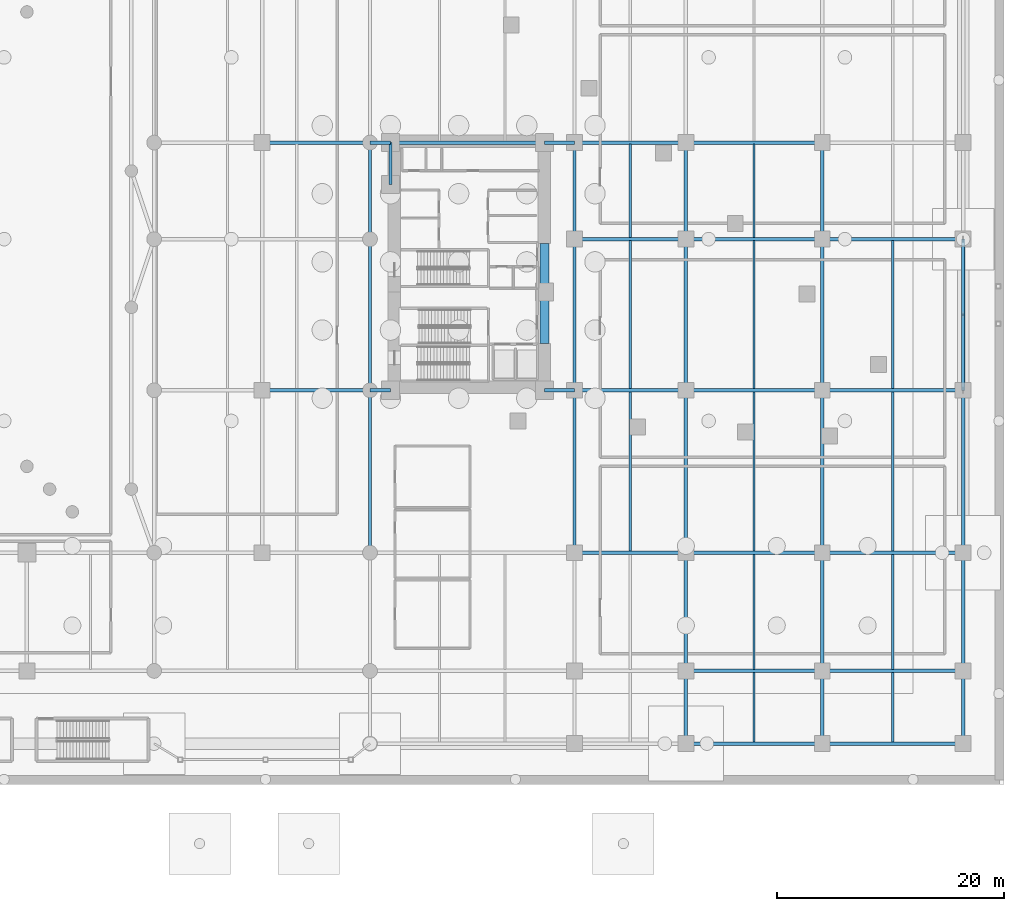
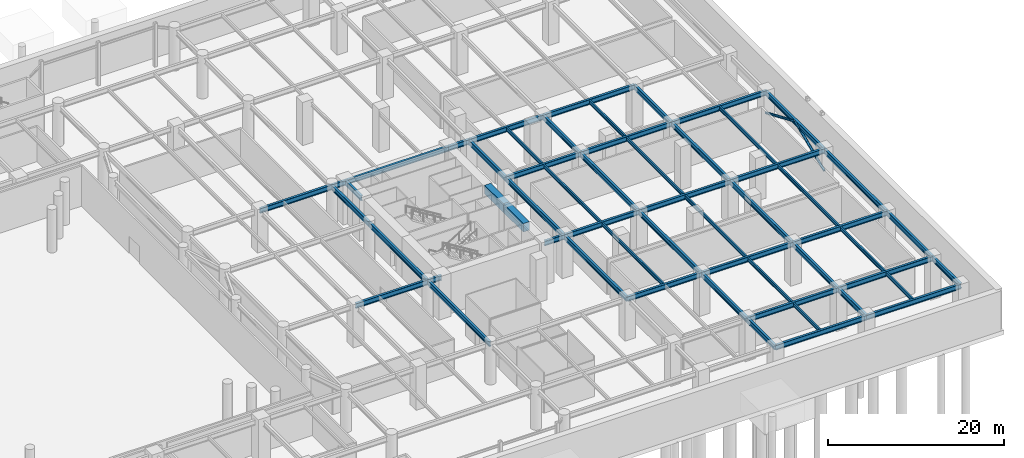
# One storey, part 13 of 37: 57 beams, 2 members.
"""IFC4 building model written with IfcOpenShell, lengths in metres."""

from ifc_helpers import new_model, si_unit, direction, frame, origin, origin_2d, place, context, subcontext, project, spatial, rectangle, hollow_circle, i_section, extrude, material, material_profile, profile_set, type_object, element, save


model = new_model("IFC4")

# Units and contexts
model_context = context("Model", 3, precision=1e-05, world=origin(), true_north=direction((0.0, 1.0)))
body_context = subcontext(model_context, "Body", "Model", "MODEL_VIEW")
ifc_project = project(units=[si_unit("LENGTHUNIT", "METRE"), si_unit("AREAUNIT", "SQUARE_METRE"), si_unit("VOLUMEUNIT", "CUBIC_METRE"), si_unit("PLANEANGLEUNIT", "RADIAN"), si_unit("MASSUNIT", "GRAM", prefix="KILO")], contexts=[model_context])

# Site, building, storey
site_placement = place(None, origin())
site = spatial("IfcSite", under=ifc_project, at=site_placement, CompositionType="ELEMENT")
building_placement = place(site_placement, origin())
building = spatial("IfcBuilding", under=site, at=building_placement, Name="Narakoshi Arena Tower", CompositionType="ELEMENT")
storey_placement = place(building_placement, frame((0.0, 0.0, -6.0)))
storey = spatial("IfcBuildingStorey", under=building, at=storey_placement, Name="B01", CompositionType="ELEMENT", Elevation=-6.0)

# Beams
ifc_material_1 = material(Name="Concrete C60/75", Category="concrete")
ifc_material_profile_1 = material_profile(ifc_material_1, rectangle(XDim=0.800048828125, YDim=1.199951171875, at=origin_2d()), Name="RCB800x1200")
ifc_profile_set_1 = profile_set([ifc_material_profile_1], Name="Concrete C60/75")
beam_type_1 = type_object("IfcBeamType", Name="BM-CPL-1200", PredefinedType="LINTEL", material=ifc_profile_set_1)
beam_1_placement = place(storey_placement, frame((85.550048828125, 38.800048828125, 5.0), z_axis=(0.0, 1.0, 0.0), x_axis=(-1.0, 0.0, 0.0)))
element("IfcBeam", 1, at=beam_1_placement, inside=storey, type_object=beam_type_1, Name="B01 Core Seismic Coupling Beam 1", PredefinedType="LINTEL", context=body_context, shape_type="SweptSolid", body=[
    extrude(rectangle(XDim=0.800048828125, YDim=1.199951171875, at=origin_2d()), origin(), (0.0, 0.0, 1.0), 4.550048828125),
])
beam_2_placement = place(storey_placement, frame((85.550048828125, 43.35009765625, 5.0), z_axis=(0.0, 1.0, 0.0), x_axis=(-1.0, 0.0, 0.0)))
element("IfcBeam", 2, at=beam_2_placement, inside=storey, type_object=beam_type_1, Name="B01 Core Seismic Coupling Beam 2", PredefinedType="LINTEL", context=body_context, shape_type="SweptSolid", body=[
    extrude(rectangle(XDim=0.800048828125, YDim=1.199951171875, at=origin_2d()), origin(), (0.0, 0.0, 1.0), 4.25),
])
ifc_material_2 = material(Name="Structural steel S355J2", Category="steel")
ifc_material_profile_2 = material_profile(ifc_material_2, i_section(OverallWidth=0.300048828125, OverallDepth=0.699951171875, WebThickness=0.01708984375, FlangeThickness=0.031982421875, FilletRadius=0.027099609375, at=origin_2d()), Name="HE700B")
ifc_profile_set_2 = profile_set([ifc_material_profile_2], Name="Structural steel S355J2")
beam_type_2 = type_object("IfcBeamType", Name="BM-PRI-700", PredefinedType="BEAM", material=ifc_profile_set_2)
beam_3_placement = place(storey_placement, frame((98.0, 3.60009765625, 5.25), z_axis=(1.0, 0.0, 0.0), x_axis=(0.0, 1.0, 0.0)))
element("IfcBeam", 3, at=beam_3_placement, inside=storey, type_object=beam_type_2, Name="B01 Podium Primary X-Girder 003", PredefinedType="BEAM", context=body_context, shape_type="SweptSolid", body=[
    extrude(i_section(OverallWidth=0.300048828125, OverallDepth=0.699951171875, WebThickness=0.01708984375, FlangeThickness=0.031982421875, FilletRadius=0.027099609375, at=origin_2d()), origin(), (0.0, 0.0, 1.0), 12.0),
])
beam_4_placement = place(storey_placement, frame((110.0, 3.60009765625, 5.25), z_axis=(1.0, 0.0, 0.0), x_axis=(0.0, 1.0, 0.0)))
element("IfcBeam", 4, at=beam_4_placement, inside=storey, type_object=beam_type_2, Name="B01 Podium Primary X-Girder 004", PredefinedType="BEAM", context=body_context, shape_type="SweptSolid", body=[
    extrude(i_section(OverallWidth=0.300048828125, OverallDepth=0.699951171875, WebThickness=0.01708984375, FlangeThickness=0.031982421875, FilletRadius=0.027099609375, at=origin_2d()), origin(), (0.0, 0.0, 1.0), 12.39990234375),
])
beam_5_placement = place(storey_placement, frame((98.0, 10.0, 5.25), z_axis=(1.0, 0.0, 0.0), x_axis=(0.0, 1.0, 0.0)))
element("IfcBeam", 5, at=beam_5_placement, inside=storey, type_object=beam_type_2, Name="B01 Podium Primary X-Girder 012", PredefinedType="BEAM", context=body_context, shape_type="SweptSolid", body=[
    extrude(i_section(OverallWidth=0.300048828125, OverallDepth=0.699951171875, WebThickness=0.01708984375, FlangeThickness=0.031982421875, FilletRadius=0.027099609375, at=origin_2d()), origin(), (0.0, 0.0, 1.0), 12.0),
])
beam_6_placement = place(storey_placement, frame((110.0, 10.0, 5.25), z_axis=(1.0, 0.0, 0.0), x_axis=(0.0, 1.0, 0.0)))
element("IfcBeam", 6, at=beam_6_placement, inside=storey, type_object=beam_type_2, Name="B01 Podium Primary X-Girder 013", PredefinedType="BEAM", context=body_context, shape_type="SweptSolid", body=[
    extrude(i_section(OverallWidth=0.300048828125, OverallDepth=0.699951171875, WebThickness=0.01708984375, FlangeThickness=0.031982421875, FilletRadius=0.027099609375, at=origin_2d()), origin(), (0.0, 0.0, 1.0), 12.39990234375),
])
beam_7_placement = place(storey_placement, frame((88.199951171875, 20.39990234375, 5.25), z_axis=(1.0, 0.0, 0.0), x_axis=(0.0, 1.0, 0.0)))
element("IfcBeam", 7, at=beam_7_placement, inside=storey, type_object=beam_type_2, Name="B01 Podium Primary X-Girder 021", PredefinedType="BEAM", context=body_context, shape_type="SweptSolid", body=[
    extrude(i_section(OverallWidth=0.300048828125, OverallDepth=0.699951171875, WebThickness=0.01708984375, FlangeThickness=0.031982421875, FilletRadius=0.027099609375, at=origin_2d()), origin(), (0.0, 0.0, 1.0), 9.800048828125),
])
beam_8_placement = place(storey_placement, frame((98.0, 20.39990234375, 5.25), z_axis=(1.0, 0.0, 0.0), x_axis=(0.0, 1.0, 0.0)))
element("IfcBeam", 8, at=beam_8_placement, inside=storey, type_object=beam_type_2, Name="B01 Podium Primary X-Girder 022", PredefinedType="BEAM", context=body_context, shape_type="SweptSolid", body=[
    extrude(i_section(OverallWidth=0.300048828125, OverallDepth=0.699951171875, WebThickness=0.01708984375, FlangeThickness=0.031982421875, FilletRadius=0.027099609375, at=origin_2d()), origin(), (0.0, 0.0, 1.0), 12.0),
])
beam_9_placement = place(storey_placement, frame((110.0, 20.39990234375, 5.25), z_axis=(1.0, 0.0, 0.0), x_axis=(0.0, 1.0, 0.0)))
element("IfcBeam", 9, at=beam_9_placement, inside=storey, type_object=beam_type_2, Name="B01 Podium Primary X-Girder 023", PredefinedType="BEAM", context=body_context, shape_type="SweptSolid", body=[
    extrude(i_section(OverallWidth=0.300048828125, OverallDepth=0.699951171875, WebThickness=0.01708984375, FlangeThickness=0.031982421875, FilletRadius=0.027099609375, at=origin_2d()), origin(), (0.0, 0.0, 1.0), 12.39990234375),
])
beam_10_placement = place(storey_placement, frame((60.699951171875, 34.699951171875, 5.25), z_axis=(1.0, 0.0, 0.0), x_axis=(0.0, 1.0, 0.0)))
element("IfcBeam", 10, at=beam_10_placement, inside=storey, type_object=beam_type_2, Name="B01 Podium Primary X-Girder 025", PredefinedType="BEAM", context=body_context, shape_type="SweptSolid", body=[
    extrude(i_section(OverallWidth=0.300048828125, OverallDepth=0.699951171875, WebThickness=0.01708984375, FlangeThickness=0.031982421875, FilletRadius=0.027099609375, at=origin_2d()), origin(), (0.0, 0.0, 1.0), 9.5),
])
beam_11_placement = place(storey_placement, frame((70.199951171875, 34.699951171875, 5.25), z_axis=(1.0, 0.0, 0.0), x_axis=(0.0, 1.0, 0.0)))
element("IfcBeam", 11, at=beam_11_placement, inside=storey, type_object=beam_type_2, Name="B01 Podium Primary X-Girder 026", PredefinedType="BEAM", context=body_context, shape_type="SweptSolid", body=[
    extrude(i_section(OverallWidth=0.300048828125, OverallDepth=0.699951171875, WebThickness=0.01708984375, FlangeThickness=0.031982421875, FilletRadius=0.027099609375, at=origin_2d()), origin(), (0.0, 0.0, 1.0), 1.800048828125),
])
beam_12_placement = place(storey_placement, frame((85.550048828125, 34.699951171875, 5.25), z_axis=(1.0, 0.0, 0.0), x_axis=(0.0, 1.0, 0.0)))
element("IfcBeam", 12, at=beam_12_placement, inside=storey, type_object=beam_type_2, Name="B01 Podium Primary X-Girder 027", PredefinedType="BEAM", context=body_context, shape_type="SweptSolid", body=[
    extrude(i_section(OverallWidth=0.300048828125, OverallDepth=0.699951171875, WebThickness=0.01708984375, FlangeThickness=0.031982421875, FilletRadius=0.027099609375, at=origin_2d()), origin(), (0.0, 0.0, 1.0), 2.64990234375),
])
beam_13_placement = place(storey_placement, frame((88.199951171875, 34.699951171875, 5.25), z_axis=(1.0, 0.0, 0.0), x_axis=(0.0, 1.0, 0.0)))
element("IfcBeam", 13, at=beam_13_placement, inside=storey, type_object=beam_type_2, Name="B01 Podium Primary X-Girder 028", PredefinedType="BEAM", context=body_context, shape_type="SweptSolid", body=[
    extrude(i_section(OverallWidth=0.300048828125, OverallDepth=0.699951171875, WebThickness=0.01708984375, FlangeThickness=0.031982421875, FilletRadius=0.027099609375, at=origin_2d()), origin(), (0.0, 0.0, 1.0), 9.800048828125),
])
beam_14_placement = place(storey_placement, frame((98.0, 34.699951171875, 5.25), z_axis=(1.0, 0.0, 0.0), x_axis=(0.0, 1.0, 0.0)))
element("IfcBeam", 14, at=beam_14_placement, inside=storey, type_object=beam_type_2, Name="B01 Podium Primary X-Girder 029", PredefinedType="BEAM", context=body_context, shape_type="SweptSolid", body=[
    extrude(i_section(OverallWidth=0.300048828125, OverallDepth=0.699951171875, WebThickness=0.01708984375, FlangeThickness=0.031982421875, FilletRadius=0.027099609375, at=origin_2d()), origin(), (0.0, 0.0, 1.0), 12.0),
])
beam_15_placement = place(storey_placement, frame((110.0, 34.699951171875, 5.25), z_axis=(1.0, 0.0, 0.0), x_axis=(0.0, 1.0, 0.0)))
element("IfcBeam", 15, at=beam_15_placement, inside=storey, type_object=beam_type_2, Name="B01 Podium Primary X-Girder 030", PredefinedType="BEAM", context=body_context, shape_type="SweptSolid", body=[
    extrude(i_section(OverallWidth=0.300048828125, OverallDepth=0.699951171875, WebThickness=0.01708984375, FlangeThickness=0.031982421875, FilletRadius=0.027099609375, at=origin_2d()), origin(), (0.0, 0.0, 1.0), 12.39990234375),
])
beam_16_placement = place(storey_placement, frame((88.199951171875, 48.0, 5.25), z_axis=(1.0, 0.0, 0.0), x_axis=(0.0, 1.0, 0.0)))
element("IfcBeam", 16, at=beam_16_placement, inside=storey, type_object=beam_type_2, Name="B01 Podium Primary X-Girder 032", PredefinedType="BEAM", context=body_context, shape_type="SweptSolid", body=[
    extrude(i_section(OverallWidth=0.300048828125, OverallDepth=0.699951171875, WebThickness=0.01708984375, FlangeThickness=0.031982421875, FilletRadius=0.027099609375, at=origin_2d()), origin(), (0.0, 0.0, 1.0), 9.800048828125),
])
beam_17_placement = place(storey_placement, frame((98.0, 48.0, 5.25), z_axis=(1.0, 0.0, 0.0), x_axis=(0.0, 1.0, 0.0)))
element("IfcBeam", 17, at=beam_17_placement, inside=storey, type_object=beam_type_2, Name="B01 Podium Primary X-Girder 033", PredefinedType="BEAM", context=body_context, shape_type="SweptSolid", body=[
    extrude(i_section(OverallWidth=0.300048828125, OverallDepth=0.699951171875, WebThickness=0.01708984375, FlangeThickness=0.031982421875, FilletRadius=0.027099609375, at=origin_2d()), origin(), (0.0, 0.0, 1.0), 12.0),
])
beam_18_placement = place(storey_placement, frame((110.0, 48.0, 5.25), z_axis=(1.0, 0.0, 0.0), x_axis=(0.0, 1.0, 0.0)))
element("IfcBeam", 18, at=beam_18_placement, inside=storey, type_object=beam_type_2, Name="B01 Podium Primary X-Girder 034", PredefinedType="BEAM", context=body_context, shape_type="SweptSolid", body=[
    extrude(i_section(OverallWidth=0.300048828125, OverallDepth=0.699951171875, WebThickness=0.01708984375, FlangeThickness=0.031982421875, FilletRadius=0.027099609375, at=origin_2d()), origin(), (0.0, 0.0, 1.0), 12.39990234375),
])
beam_19_placement = place(storey_placement, frame((60.699951171875, 56.5, 5.25), z_axis=(1.0, 0.0, 0.0), x_axis=(0.0, 1.0, 0.0)))
element("IfcBeam", 19, at=beam_19_placement, inside=storey, type_object=beam_type_2, Name="B01 Podium Primary X-Girder 036", PredefinedType="BEAM", context=body_context, shape_type="SweptSolid", body=[
    extrude(i_section(OverallWidth=0.300048828125, OverallDepth=0.699951171875, WebThickness=0.01708984375, FlangeThickness=0.031982421875, FilletRadius=0.027099609375, at=origin_2d()), origin(), (0.0, 0.0, 1.0), 9.5),
])
beam_20_placement = place(storey_placement, frame((70.199951171875, 56.5, 5.25), z_axis=(1.0, 0.0, 0.0), x_axis=(0.0, 1.0, 0.0)))
element("IfcBeam", 20, at=beam_20_placement, inside=storey, type_object=beam_type_2, Name="B01 Podium Primary X-Girder 037", PredefinedType="BEAM", context=body_context, shape_type="SweptSolid", body=[
    extrude(i_section(OverallWidth=0.300048828125, OverallDepth=0.699951171875, WebThickness=0.01708984375, FlangeThickness=0.031982421875, FilletRadius=0.027099609375, at=origin_2d()), origin(), (0.0, 0.0, 1.0), 1.800048828125),
])
beam_21_placement = place(storey_placement, frame((72.0, 56.5, 5.25), z_axis=(1.0, 0.0, 0.0), x_axis=(0.0, 1.0, 0.0)))
element("IfcBeam", 21, at=beam_21_placement, inside=storey, type_object=beam_type_2, Name="B01 Podium Primary X-Girder 038", PredefinedType="BEAM", context=body_context, shape_type="SweptSolid", body=[
    extrude(i_section(OverallWidth=0.300048828125, OverallDepth=0.699951171875, WebThickness=0.01708984375, FlangeThickness=0.031982421875, FilletRadius=0.027099609375, at=origin_2d()), origin(), (0.0, 0.0, 1.0), 13.550048828125),
])
beam_22_placement = place(storey_placement, frame((85.550048828125, 56.5, 5.25), z_axis=(1.0, 0.0, 0.0), x_axis=(0.0, 1.0, 0.0)))
element("IfcBeam", 22, at=beam_22_placement, inside=storey, type_object=beam_type_2, Name="B01 Podium Primary X-Girder 039", PredefinedType="BEAM", context=body_context, shape_type="SweptSolid", body=[
    extrude(i_section(OverallWidth=0.300048828125, OverallDepth=0.699951171875, WebThickness=0.01708984375, FlangeThickness=0.031982421875, FilletRadius=0.027099609375, at=origin_2d()), origin(), (0.0, 0.0, 1.0), 2.64990234375),
])
beam_23_placement = place(storey_placement, frame((88.199951171875, 56.5, 5.25), z_axis=(1.0, 0.0, 0.0), x_axis=(0.0, 1.0, 0.0)))
element("IfcBeam", 23, at=beam_23_placement, inside=storey, type_object=beam_type_2, Name="B01 Podium Primary X-Girder 040", PredefinedType="BEAM", context=body_context, shape_type="SweptSolid", body=[
    extrude(i_section(OverallWidth=0.300048828125, OverallDepth=0.699951171875, WebThickness=0.01708984375, FlangeThickness=0.031982421875, FilletRadius=0.027099609375, at=origin_2d()), origin(), (0.0, 0.0, 1.0), 9.800048828125),
])
beam_24_placement = place(storey_placement, frame((98.0, 56.5, 5.25), z_axis=(1.0, 0.0, 0.0), x_axis=(0.0, 1.0, 0.0)))
element("IfcBeam", 24, at=beam_24_placement, inside=storey, type_object=beam_type_2, Name="B01 Podium Primary X-Girder 041", PredefinedType="BEAM", context=body_context, shape_type="SweptSolid", body=[
    extrude(i_section(OverallWidth=0.300048828125, OverallDepth=0.699951171875, WebThickness=0.01708984375, FlangeThickness=0.031982421875, FilletRadius=0.027099609375, at=origin_2d()), origin(), (0.0, 0.0, 1.0), 12.0),
])
beam_25_placement = place(storey_placement, frame((70.199951171875, 20.39990234375, 5.25), z_axis=(0.0, 1.0, 0.0), x_axis=(-1.0, 0.0, 0.0)))
element("IfcBeam", 25, at=beam_25_placement, inside=storey, type_object=beam_type_2, Name="B01 Podium Primary Y-Girder 091", PredefinedType="BEAM", context=body_context, shape_type="SweptSolid", body=[
    extrude(i_section(OverallWidth=0.300048828125, OverallDepth=0.699951171875, WebThickness=0.01708984375, FlangeThickness=0.031982421875, FilletRadius=0.027099609375, at=origin_2d()), origin(), (0.0, 0.0, 1.0), 14.300048828125),
])
beam_26_placement = place(storey_placement, frame((70.199951171875, 34.699951171875, 5.25), z_axis=(0.0, 1.0, 0.0), x_axis=(-1.0, 0.0, 0.0)))
element("IfcBeam", 26, at=beam_26_placement, inside=storey, type_object=beam_type_2, Name="B01 Podium Primary Y-Girder 092", PredefinedType="BEAM", context=body_context, shape_type="SweptSolid", body=[
    extrude(i_section(OverallWidth=0.300048828125, OverallDepth=0.699951171875, WebThickness=0.01708984375, FlangeThickness=0.031982421875, FilletRadius=0.027099609375, at=origin_2d()), origin(), (0.0, 0.0, 1.0), 13.300048828125),
])
beam_27_placement = place(storey_placement, frame((70.199951171875, 48.0, 5.25), z_axis=(0.0, 1.0, 0.0), x_axis=(-1.0, 0.0, 0.0)))
element("IfcBeam", 27, at=beam_27_placement, inside=storey, type_object=beam_type_2, Name="B01 Podium Primary Y-Girder 093", PredefinedType="BEAM", context=body_context, shape_type="SweptSolid", body=[
    extrude(i_section(OverallWidth=0.300048828125, OverallDepth=0.699951171875, WebThickness=0.01708984375, FlangeThickness=0.031982421875, FilletRadius=0.027099609375, at=origin_2d()), origin(), (0.0, 0.0, 1.0), 8.5),
])
beam_28_placement = place(storey_placement, frame((72.0, 52.800048828125, 5.25), z_axis=(0.0, 1.0, 0.0), x_axis=(-1.0, 0.0, 0.0)))
element("IfcBeam", 28, at=beam_28_placement, inside=storey, type_object=beam_type_2, Name="B01 Podium Primary Y-Girder 097", PredefinedType="BEAM", context=body_context, shape_type="SweptSolid", body=[
    extrude(i_section(OverallWidth=0.300048828125, OverallDepth=0.699951171875, WebThickness=0.01708984375, FlangeThickness=0.031982421875, FilletRadius=0.027099609375, at=origin_2d()), origin(), (0.0, 0.0, 1.0), 3.699951171875),
])
beam_29_placement = place(storey_placement, frame((88.199951171875, 20.39990234375, 5.25), z_axis=(0.0, 1.0, 0.0), x_axis=(-1.0, 0.0, 0.0)))
element("IfcBeam", 29, at=beam_29_placement, inside=storey, type_object=beam_type_2, Name="B01 Podium Primary Y-Girder 100", PredefinedType="BEAM", context=body_context, shape_type="SweptSolid", body=[
    extrude(i_section(OverallWidth=0.300048828125, OverallDepth=0.699951171875, WebThickness=0.01708984375, FlangeThickness=0.031982421875, FilletRadius=0.027099609375, at=origin_2d()), origin(), (0.0, 0.0, 1.0), 14.300048828125),
])
beam_30_placement = place(storey_placement, frame((88.199951171875, 34.699951171875, 5.25), z_axis=(0.0, 1.0, 0.0), x_axis=(-1.0, 0.0, 0.0)))
element("IfcBeam", 30, at=beam_30_placement, inside=storey, type_object=beam_type_2, Name="B01 Podium Primary Y-Girder 101", PredefinedType="BEAM", context=body_context, shape_type="SweptSolid", body=[
    extrude(i_section(OverallWidth=0.300048828125, OverallDepth=0.699951171875, WebThickness=0.01708984375, FlangeThickness=0.031982421875, FilletRadius=0.027099609375, at=origin_2d()), origin(), (0.0, 0.0, 1.0), 13.300048828125),
])
beam_31_placement = place(storey_placement, frame((88.199951171875, 48.0, 5.25), z_axis=(0.0, 1.0, 0.0), x_axis=(-1.0, 0.0, 0.0)))
element("IfcBeam", 31, at=beam_31_placement, inside=storey, type_object=beam_type_2, Name="B01 Podium Primary Y-Girder 102", PredefinedType="BEAM", context=body_context, shape_type="SweptSolid", body=[
    extrude(i_section(OverallWidth=0.300048828125, OverallDepth=0.699951171875, WebThickness=0.01708984375, FlangeThickness=0.031982421875, FilletRadius=0.027099609375, at=origin_2d()), origin(), (0.0, 0.0, 1.0), 8.5),
])
beam_32_placement = place(storey_placement, frame((98.0, 3.60009765625, 5.25), z_axis=(0.0, 1.0, 0.0), x_axis=(-1.0, 0.0, 0.0)))
element("IfcBeam", 32, at=beam_32_placement, inside=storey, type_object=beam_type_2, Name="B01 Podium Primary Y-Girder 106", PredefinedType="BEAM", context=body_context, shape_type="SweptSolid", body=[
    extrude(i_section(OverallWidth=0.300048828125, OverallDepth=0.699951171875, WebThickness=0.01708984375, FlangeThickness=0.031982421875, FilletRadius=0.027099609375, at=origin_2d()), origin(), (0.0, 0.0, 1.0), 6.39990234375),
])
beam_33_placement = place(storey_placement, frame((98.0, 10.0, 5.25), z_axis=(0.0, 1.0, 0.0), x_axis=(-1.0, 0.0, 0.0)))
element("IfcBeam", 33, at=beam_33_placement, inside=storey, type_object=beam_type_2, Name="B01 Podium Primary Y-Girder 107", PredefinedType="BEAM", context=body_context, shape_type="SweptSolid", body=[
    extrude(i_section(OverallWidth=0.300048828125, OverallDepth=0.699951171875, WebThickness=0.01708984375, FlangeThickness=0.031982421875, FilletRadius=0.027099609375, at=origin_2d()), origin(), (0.0, 0.0, 1.0), 10.39990234375),
])
beam_34_placement = place(storey_placement, frame((98.0, 20.39990234375, 5.25), z_axis=(0.0, 1.0, 0.0), x_axis=(-1.0, 0.0, 0.0)))
element("IfcBeam", 34, at=beam_34_placement, inside=storey, type_object=beam_type_2, Name="B01 Podium Primary Y-Girder 108", PredefinedType="BEAM", context=body_context, shape_type="SweptSolid", body=[
    extrude(i_section(OverallWidth=0.300048828125, OverallDepth=0.699951171875, WebThickness=0.01708984375, FlangeThickness=0.031982421875, FilletRadius=0.027099609375, at=origin_2d()), origin(), (0.0, 0.0, 1.0), 14.300048828125),
])
beam_35_placement = place(storey_placement, frame((98.0, 34.699951171875, 5.25), z_axis=(0.0, 1.0, 0.0), x_axis=(-1.0, 0.0, 0.0)))
element("IfcBeam", 35, at=beam_35_placement, inside=storey, type_object=beam_type_2, Name="B01 Podium Primary Y-Girder 109", PredefinedType="BEAM", context=body_context, shape_type="SweptSolid", body=[
    extrude(i_section(OverallWidth=0.300048828125, OverallDepth=0.699951171875, WebThickness=0.01708984375, FlangeThickness=0.031982421875, FilletRadius=0.027099609375, at=origin_2d()), origin(), (0.0, 0.0, 1.0), 13.300048828125),
])
beam_36_placement = place(storey_placement, frame((98.0, 48.0, 5.25), z_axis=(0.0, 1.0, 0.0), x_axis=(-1.0, 0.0, 0.0)))
element("IfcBeam", 36, at=beam_36_placement, inside=storey, type_object=beam_type_2, Name="B01 Podium Primary Y-Girder 110", PredefinedType="BEAM", context=body_context, shape_type="SweptSolid", body=[
    extrude(i_section(OverallWidth=0.300048828125, OverallDepth=0.699951171875, WebThickness=0.01708984375, FlangeThickness=0.031982421875, FilletRadius=0.027099609375, at=origin_2d()), origin(), (0.0, 0.0, 1.0), 8.5),
])
beam_37_placement = place(storey_placement, frame((110.0, 3.60009765625, 5.25), z_axis=(0.0, 1.0, 0.0), x_axis=(-1.0, 0.0, 0.0)))
element("IfcBeam", 37, at=beam_37_placement, inside=storey, type_object=beam_type_2, Name="B01 Podium Primary Y-Girder 114", PredefinedType="BEAM", context=body_context, shape_type="SweptSolid", body=[
    extrude(i_section(OverallWidth=0.300048828125, OverallDepth=0.699951171875, WebThickness=0.01708984375, FlangeThickness=0.031982421875, FilletRadius=0.027099609375, at=origin_2d()), origin(), (0.0, 0.0, 1.0), 6.39990234375),
])
beam_38_placement = place(storey_placement, frame((110.0, 10.0, 5.25), z_axis=(0.0, 1.0, 0.0), x_axis=(-1.0, 0.0, 0.0)))
element("IfcBeam", 38, at=beam_38_placement, inside=storey, type_object=beam_type_2, Name="B01 Podium Primary Y-Girder 115", PredefinedType="BEAM", context=body_context, shape_type="SweptSolid", body=[
    extrude(i_section(OverallWidth=0.300048828125, OverallDepth=0.699951171875, WebThickness=0.01708984375, FlangeThickness=0.031982421875, FilletRadius=0.027099609375, at=origin_2d()), origin(), (0.0, 0.0, 1.0), 10.39990234375),
])
beam_39_placement = place(storey_placement, frame((110.0, 20.39990234375, 5.25), z_axis=(0.0, 1.0, 0.0), x_axis=(-1.0, 0.0, 0.0)))
element("IfcBeam", 39, at=beam_39_placement, inside=storey, type_object=beam_type_2, Name="B01 Podium Primary Y-Girder 116", PredefinedType="BEAM", context=body_context, shape_type="SweptSolid", body=[
    extrude(i_section(OverallWidth=0.300048828125, OverallDepth=0.699951171875, WebThickness=0.01708984375, FlangeThickness=0.031982421875, FilletRadius=0.027099609375, at=origin_2d()), origin(), (0.0, 0.0, 1.0), 14.300048828125),
])
beam_40_placement = place(storey_placement, frame((110.0, 34.699951171875, 5.25), z_axis=(0.0, 1.0, 0.0), x_axis=(-1.0, 0.0, 0.0)))
element("IfcBeam", 40, at=beam_40_placement, inside=storey, type_object=beam_type_2, Name="B01 Podium Primary Y-Girder 117", PredefinedType="BEAM", context=body_context, shape_type="SweptSolid", body=[
    extrude(i_section(OverallWidth=0.300048828125, OverallDepth=0.699951171875, WebThickness=0.01708984375, FlangeThickness=0.031982421875, FilletRadius=0.027099609375, at=origin_2d()), origin(), (0.0, 0.0, 1.0), 13.300048828125),
])
beam_41_placement = place(storey_placement, frame((110.0, 48.0, 5.25), z_axis=(0.0, 1.0, 0.0), x_axis=(-1.0, 0.0, 0.0)))
element("IfcBeam", 41, at=beam_41_placement, inside=storey, type_object=beam_type_2, Name="B01 Podium Primary Y-Girder 118", PredefinedType="BEAM", context=body_context, shape_type="SweptSolid", body=[
    extrude(i_section(OverallWidth=0.300048828125, OverallDepth=0.699951171875, WebThickness=0.01708984375, FlangeThickness=0.031982421875, FilletRadius=0.027099609375, at=origin_2d()), origin(), (0.0, 0.0, 1.0), 8.5),
])
beam_42_placement = place(storey_placement, frame((122.39990234375, 3.60009765625, 5.25), z_axis=(0.0, 1.0, 0.0), x_axis=(-1.0, 0.0, 0.0)))
element("IfcBeam", 42, at=beam_42_placement, inside=storey, type_object=beam_type_2, Name="B01 Podium Primary Y-Girder 122", PredefinedType="BEAM", context=body_context, shape_type="SweptSolid", body=[
    extrude(i_section(OverallWidth=0.300048828125, OverallDepth=0.699951171875, WebThickness=0.01708984375, FlangeThickness=0.031982421875, FilletRadius=0.027099609375, at=origin_2d()), origin(), (0.0, 0.0, 1.0), 6.39990234375),
])
beam_43_placement = place(storey_placement, frame((122.39990234375, 10.0, 5.25), z_axis=(0.0, 1.0, 0.0), x_axis=(-1.0, 0.0, 0.0)))
element("IfcBeam", 43, at=beam_43_placement, inside=storey, type_object=beam_type_2, Name="B01 Podium Primary Y-Girder 123", PredefinedType="BEAM", context=body_context, shape_type="SweptSolid", body=[
    extrude(i_section(OverallWidth=0.300048828125, OverallDepth=0.699951171875, WebThickness=0.01708984375, FlangeThickness=0.031982421875, FilletRadius=0.027099609375, at=origin_2d()), origin(), (0.0, 0.0, 1.0), 10.39990234375),
])
beam_44_placement = place(storey_placement, frame((122.39990234375, 20.39990234375, 5.25), z_axis=(0.0, 1.0, 0.0), x_axis=(-1.0, 0.0, 0.0)))
element("IfcBeam", 44, at=beam_44_placement, inside=storey, type_object=beam_type_2, Name="B01 Podium Primary Y-Girder 124", PredefinedType="BEAM", context=body_context, shape_type="SweptSolid", body=[
    extrude(i_section(OverallWidth=0.300048828125, OverallDepth=0.699951171875, WebThickness=0.01708984375, FlangeThickness=0.031982421875, FilletRadius=0.027099609375, at=origin_2d()), origin(), (0.0, 0.0, 1.0), 14.300048828125),
])
beam_45_placement = place(storey_placement, frame((122.39990234375, 34.699951171875, 5.25), z_axis=(0.0, 1.0, 0.0), x_axis=(-1.0, 0.0, 0.0)))
element("IfcBeam", 45, at=beam_45_placement, inside=storey, type_object=beam_type_2, Name="B01 Podium Primary Y-Girder 125", PredefinedType="BEAM", context=body_context, shape_type="SweptSolid", body=[
    extrude(i_section(OverallWidth=0.300048828125, OverallDepth=0.699951171875, WebThickness=0.01708984375, FlangeThickness=0.031982421875, FilletRadius=0.027099609375, at=origin_2d()), origin(), (0.0, 0.0, 1.0), 13.300048828125),
])
ifc_material_profile_3 = material_profile(ifc_material_2, i_section(OverallWidth=0.199951171875, OverallDepth=0.5, WebThickness=0.01025390625, FlangeThickness=0.01611328125, FilletRadius=0.02099609375, at=origin_2d()), Name="IPE500")
ifc_profile_set_3 = profile_set([ifc_material_profile_3], Name="Structural steel S355J2")
beam_type_3 = type_object("IfcBeamType", Name="BM-SEC-500", PredefinedType="JOIST", material=ifc_profile_set_3)
beam_46_placement = place(storey_placement, frame((93.10009765625, 20.534912109375, 5.35009765625), z_axis=(0.0, 1.0, 0.0), x_axis=(-1.0, 0.0, 0.0)))
element("IfcBeam", 46, at=beam_46_placement, inside=storey, type_object=beam_type_3, Name="B01 Podium Composite Floor Joist 033", PredefinedType="JOIST", context=body_context, shape_type="SweptSolid", body=[
    extrude(i_section(OverallWidth=0.199951171875, OverallDepth=0.5, WebThickness=0.01025390625, FlangeThickness=0.01611328125, FilletRadius=0.02099609375, at=origin_2d()), origin(), (0.0, 0.0, 1.0), 14.030029296875),
])
beam_47_placement = place(storey_placement, frame((93.10009765625, 34.8349609375, 5.35009765625), z_axis=(0.0, 1.0, 0.0), x_axis=(-1.0, 0.0, 0.0)))
element("IfcBeam", 47, at=beam_47_placement, inside=storey, type_object=beam_type_3, Name="B01 Podium Composite Floor Joist 034", PredefinedType="JOIST", context=body_context, shape_type="SweptSolid", body=[
    extrude(i_section(OverallWidth=0.199951171875, OverallDepth=0.5, WebThickness=0.01025390625, FlangeThickness=0.01611328125, FilletRadius=0.02099609375, at=origin_2d()), origin(), (0.0, 0.0, 1.0), 13.030029296875),
])
beam_48_placement = place(storey_placement, frame((93.10009765625, 48.135009765625, 5.35009765625), z_axis=(0.0, 1.0, 0.0), x_axis=(-1.0, 0.0, 0.0)))
element("IfcBeam", 48, at=beam_48_placement, inside=storey, type_object=beam_type_3, Name="B01 Podium Composite Floor Joist 035", PredefinedType="JOIST", context=body_context, shape_type="SweptSolid", body=[
    extrude(i_section(OverallWidth=0.199951171875, OverallDepth=0.5, WebThickness=0.01025390625, FlangeThickness=0.01611328125, FilletRadius=0.02099609375, at=origin_2d()), origin(), (0.0, 0.0, 1.0), 8.22998046875),
])
beam_49_placement = place(storey_placement, frame((104.0, 3.735107421875, 5.35009765625), z_axis=(0.0, 1.0, 0.0), x_axis=(-1.0, 0.0, 0.0)))
element("IfcBeam", 49, at=beam_49_placement, inside=storey, type_object=beam_type_3, Name="B01 Podium Composite Floor Joist 039", PredefinedType="JOIST", context=body_context, shape_type="SweptSolid", body=[
    extrude(i_section(OverallWidth=0.199951171875, OverallDepth=0.5, WebThickness=0.01025390625, FlangeThickness=0.01611328125, FilletRadius=0.02099609375, at=origin_2d()), origin(), (0.0, 0.0, 1.0), 6.1298828125),
])
beam_50_placement = place(storey_placement, frame((104.0, 10.135009765625, 5.35009765625), z_axis=(0.0, 1.0, 0.0), x_axis=(-1.0, 0.0, 0.0)))
element("IfcBeam", 50, at=beam_50_placement, inside=storey, type_object=beam_type_3, Name="B01 Podium Composite Floor Joist 040", PredefinedType="JOIST", context=body_context, shape_type="SweptSolid", body=[
    extrude(i_section(OverallWidth=0.199951171875, OverallDepth=0.5, WebThickness=0.01025390625, FlangeThickness=0.01611328125, FilletRadius=0.02099609375, at=origin_2d()), origin(), (0.0, 0.0, 1.0), 10.1298828125),
])
beam_51_placement = place(storey_placement, frame((104.0, 20.534912109375, 5.35009765625), z_axis=(0.0, 1.0, 0.0), x_axis=(-1.0, 0.0, 0.0)))
element("IfcBeam", 51, at=beam_51_placement, inside=storey, type_object=beam_type_3, Name="B01 Podium Composite Floor Joist 041", PredefinedType="JOIST", context=body_context, shape_type="SweptSolid", body=[
    extrude(i_section(OverallWidth=0.199951171875, OverallDepth=0.5, WebThickness=0.01025390625, FlangeThickness=0.01611328125, FilletRadius=0.02099609375, at=origin_2d()), origin(), (0.0, 0.0, 1.0), 14.030029296875),
])
beam_52_placement = place(storey_placement, frame((104.0, 34.8349609375, 5.35009765625), z_axis=(0.0, 1.0, 0.0), x_axis=(-1.0, 0.0, 0.0)))
element("IfcBeam", 52, at=beam_52_placement, inside=storey, type_object=beam_type_3, Name="B01 Podium Composite Floor Joist 042", PredefinedType="JOIST", context=body_context, shape_type="SweptSolid", body=[
    extrude(i_section(OverallWidth=0.199951171875, OverallDepth=0.5, WebThickness=0.01025390625, FlangeThickness=0.01611328125, FilletRadius=0.02099609375, at=origin_2d()), origin(), (0.0, 0.0, 1.0), 13.030029296875),
])
beam_53_placement = place(storey_placement, frame((104.0, 48.135009765625, 5.35009765625), z_axis=(0.0, 1.0, 0.0), x_axis=(-1.0, 0.0, 0.0)))
element("IfcBeam", 53, at=beam_53_placement, inside=storey, type_object=beam_type_3, Name="B01 Podium Composite Floor Joist 043", PredefinedType="JOIST", context=body_context, shape_type="SweptSolid", body=[
    extrude(i_section(OverallWidth=0.199951171875, OverallDepth=0.5, WebThickness=0.01025390625, FlangeThickness=0.01611328125, FilletRadius=0.02099609375, at=origin_2d()), origin(), (0.0, 0.0, 1.0), 8.22998046875),
])
beam_54_placement = place(storey_placement, frame((116.199951171875, 3.735107421875, 5.35009765625), z_axis=(0.0, 1.0, 0.0), x_axis=(-1.0, 0.0, 0.0)))
element("IfcBeam", 54, at=beam_54_placement, inside=storey, type_object=beam_type_3, Name="B01 Podium Composite Floor Joist 047", PredefinedType="JOIST", context=body_context, shape_type="SweptSolid", body=[
    extrude(i_section(OverallWidth=0.199951171875, OverallDepth=0.5, WebThickness=0.01025390625, FlangeThickness=0.01611328125, FilletRadius=0.02099609375, at=origin_2d()), origin(), (0.0, 0.0, 1.0), 6.1298828125),
])
beam_55_placement = place(storey_placement, frame((116.199951171875, 10.135009765625, 5.35009765625), z_axis=(0.0, 1.0, 0.0), x_axis=(-1.0, 0.0, 0.0)))
element("IfcBeam", 55, at=beam_55_placement, inside=storey, type_object=beam_type_3, Name="B01 Podium Composite Floor Joist 048", PredefinedType="JOIST", context=body_context, shape_type="SweptSolid", body=[
    extrude(i_section(OverallWidth=0.199951171875, OverallDepth=0.5, WebThickness=0.01025390625, FlangeThickness=0.01611328125, FilletRadius=0.02099609375, at=origin_2d()), origin(), (0.0, 0.0, 1.0), 10.1298828125),
])
beam_56_placement = place(storey_placement, frame((116.199951171875, 20.534912109375, 5.35009765625), z_axis=(0.0, 1.0, 0.0), x_axis=(-1.0, 0.0, 0.0)))
element("IfcBeam", 56, at=beam_56_placement, inside=storey, type_object=beam_type_3, Name="B01 Podium Composite Floor Joist 049", PredefinedType="JOIST", context=body_context, shape_type="SweptSolid", body=[
    extrude(i_section(OverallWidth=0.199951171875, OverallDepth=0.5, WebThickness=0.01025390625, FlangeThickness=0.01611328125, FilletRadius=0.02099609375, at=origin_2d()), origin(), (0.0, 0.0, 1.0), 14.030029296875),
])
beam_57_placement = place(storey_placement, frame((116.199951171875, 34.8349609375, 5.35009765625), z_axis=(0.0, 1.0, 0.0), x_axis=(-1.0, 0.0, 0.0)))
element("IfcBeam", 57, at=beam_57_placement, inside=storey, type_object=beam_type_3, Name="B01 Podium Composite Floor Joist 050", PredefinedType="JOIST", context=body_context, shape_type="SweptSolid", body=[
    extrude(i_section(OverallWidth=0.199951171875, OverallDepth=0.5, WebThickness=0.01025390625, FlangeThickness=0.01611328125, FilletRadius=0.02099609375, at=origin_2d()), origin(), (0.0, 0.0, 1.0), 13.030029296875),
])

# Members
ifc_material_profile_4 = material_profile(ifc_material_2, hollow_circle(Radius=0.161865234375, WallThickness=0.012451171875, at=origin_2d()), Name="CHS323x12")
ifc_profile_set_4 = profile_set([ifc_material_profile_4], Name="Structural steel S355J2")
member_type = type_object("IfcMemberType", Name="MEM-BR-323", PredefinedType="BRACE", material=ifc_profile_set_4)
member_1_placement = place(storey_placement, frame((122.39990234375, 34.699951171875, 2.39990234375), z_axis=(0.0, 0.919143284648, 0.393923371085), x_axis=(-1.0, 0.0, 0.0)))
element("IfcMember", 58, at=member_1_placement, inside=storey, type_object=member_type, Name="B01 Podium Lateral Brace 2A", PredefinedType="BRACE", context=body_context, shape_type="SweptSolid", body=[
    extrude(hollow_circle(Radius=0.161865234375, WallThickness=0.012451171875, at=origin_2d()), origin(), (0.0, 0.0, 1.0), 7.235107421875),
])
member_2_placement = place(storey_placement, frame((122.39990234375, 48.0, 2.39990234375), z_axis=(0.0, -0.919138048212, 0.393935589061), x_axis=(1.0, 0.0, 0.0)))
element("IfcMember", 59, at=member_2_placement, inside=storey, type_object=member_type, Name="B01 Podium Lateral Brace 2B", PredefinedType="BRACE", context=body_context, shape_type="SweptSolid", body=[
    extrude(hollow_circle(Radius=0.161865234375, WallThickness=0.012451171875, at=origin_2d()), origin(), (0.0, 0.0, 1.0), 7.23486328125),
])

save(model, "model.ifc")
